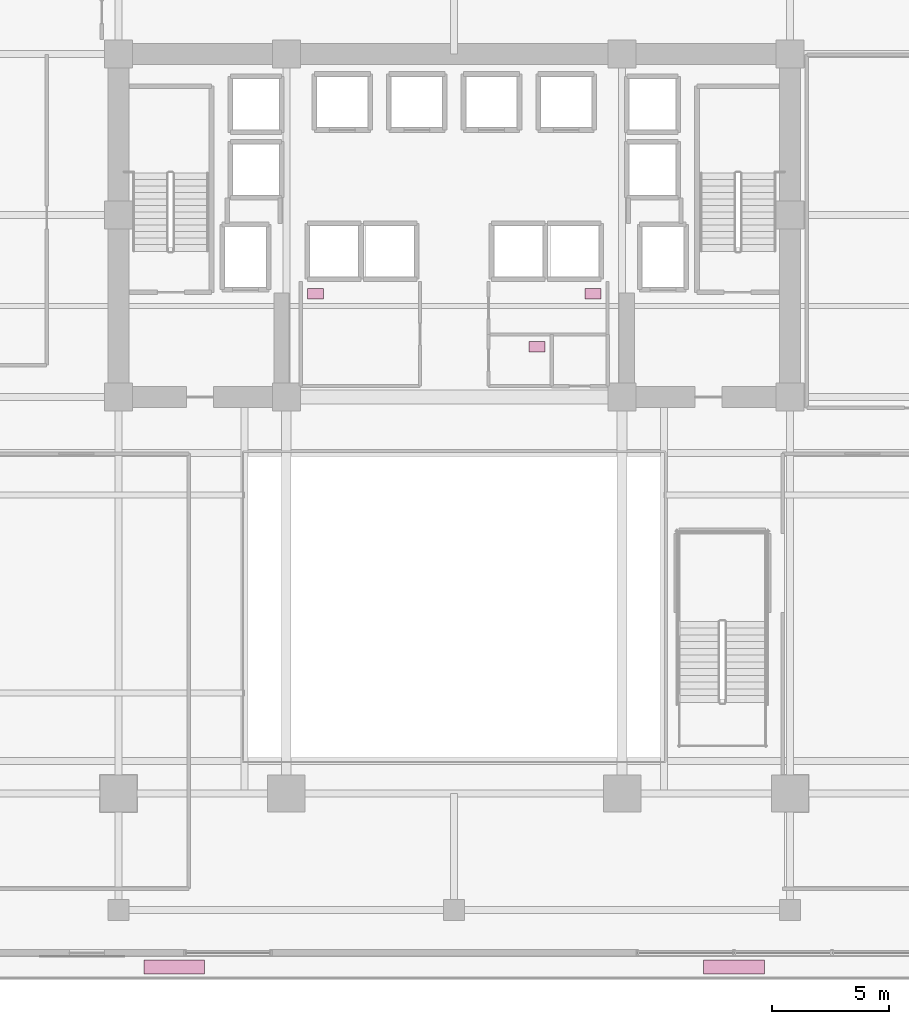
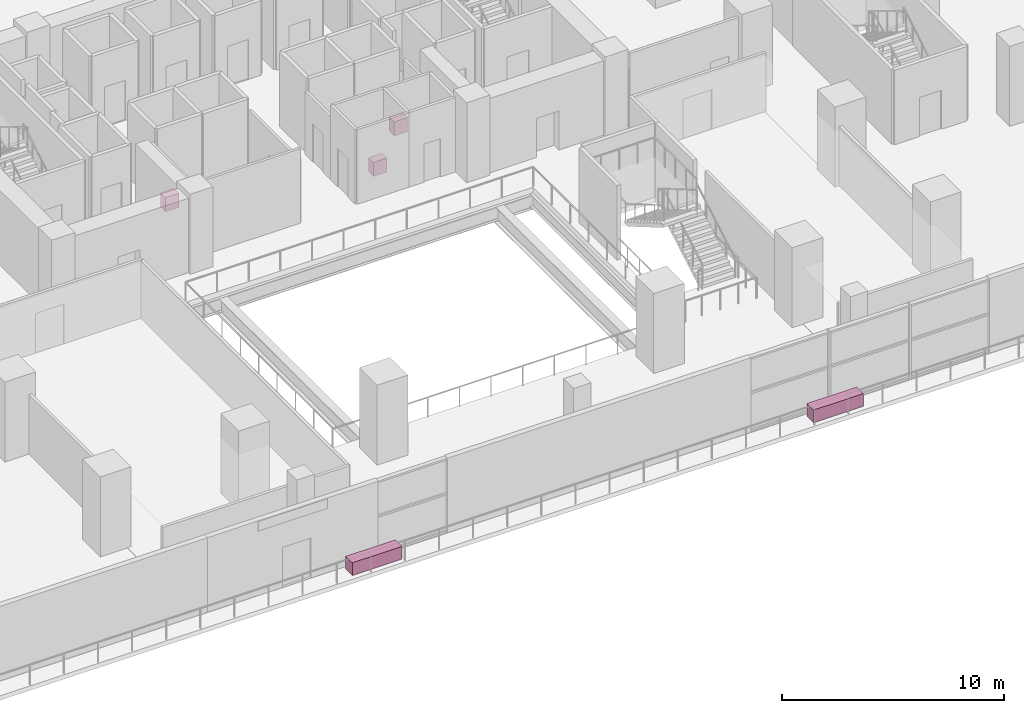
# One storey, part 21 of 21: 5 furnishings.
"""IFC4 building model written with IfcOpenShell, lengths in metres."""

from ifc_helpers import new_model, si_unit, direction, frame, origin, origin_2d, place, context, subcontext, project, spatial, rectangle, extrude, source, transform, mapped, material, type_object, element, save


model = new_model("IFC4")

# Units and contexts
model_context = context("Model", 3, precision=1e-05, world=origin(), true_north=direction((0.0, 1.0)))
body_context = subcontext(model_context, "Body", "Model", "MODEL_VIEW")
ifc_project = project(units=[si_unit("LENGTHUNIT", "METRE"), si_unit("AREAUNIT", "SQUARE_METRE"), si_unit("VOLUMEUNIT", "CUBIC_METRE"), si_unit("PLANEANGLEUNIT", "RADIAN"), si_unit("MASSUNIT", "GRAM", prefix="KILO")], contexts=[model_context])

# Site, building, storey
site_placement = place(None, origin())
site = spatial("IfcSite", under=ifc_project, at=site_placement, CompositionType="ELEMENT")
building_placement = place(site_placement, origin())
building = spatial("IfcBuilding", under=site, at=building_placement, Name="Zarnakvel Exchange Tower", CompositionType="ELEMENT")
storey_placement = place(building_placement, frame((0.0, 0.0, 5.0)))
storey = spatial("IfcBuildingStorey", under=building, at=storey_placement, Name="L01", CompositionType="ELEMENT", Elevation=5.0)

# Furnishings
ifc_material_1 = material(Name="Architectural Bronze Anodised Aluminium", Category="aluminium")
furnishing_element_type_1 = type_object("IfcFurnishingElementType", Name="PLNT-02", material=ifc_material_1)
shared_shape_1 = source(origin(), body_context, "Body", "SweptSolid", [
    extrude(rectangle(XDim=2.60009765625, YDim=0.60009765625, at=origin_2d()), origin(), (0.0, 0.0, 1.0), 0.699951171875),
])
for number, where, z_axis, x_axis, name in (
    (1, (-12.0, -25.64990234375, 0.0), (0.0, 0.0, 1.0), (1.0, 0.0, 0.0), "L01 Podium Terrace Planter #1"),
    (2, (12.0, -25.64990234375, 0.0), (0.0, 0.0, 1.0), (1.0, 0.0, 0.0), "L01 Podium Terrace Planter #2"),
):
    element("IfcFurnishingElement", number, at=place(storey_placement, frame(where, z_axis=z_axis, x_axis=x_axis)), inside=storey, type_object=furnishing_element_type_1, Name=name, ObjectType="PLANTER", context=body_context, shape_type="MappedRepresentation", body=[
        mapped(shared_shape_1, transform((0.0, 0.0, 0.0), x_axis=(1.0, 0.0, 0.0), y_axis=(0.0, 1.0, 0.0), z_axis=(0.0, 0.0, 1.0), scale=1.0)),
    ])
ifc_material_2 = material(Name="Vitreous China Sanitaryware", Category="ceramic")
furnishing_element_type_2 = type_object("IfcFurnishingElementType", Name="SAN-WC", material=ifc_material_2)
shared_shape_2 = source(origin(), body_context, "Body", "SweptSolid", [
    extrude(rectangle(XDim=0.699951171875, YDim=0.449951171875, at=origin_2d()), origin(), (0.0, 0.0, 1.0), 0.780029296875),
])
for number, where, z_axis, x_axis, name in (
    (3, (-5.949951171875, 3.22998046875, 0.0), (0.0, 0.0, 1.0), (1.0, 0.0, 0.0), "L01 Sanitary Fixture (Male Toilet)"),
    (4, (5.949951171875, 3.22998046875, 0.0), (0.0, 0.0, 1.0), (1.0, 0.0, 0.0), "L01 Sanitary Fixture (Female Toilet)"),
    (5, (3.550048828125, 0.949951171875, 0.0), (0.0, 0.0, 1.0), (1.0, 0.0, 0.0), "L01 Sanitary Fixture (Accessible Toilet)"),
):
    element("IfcFurnishingElement", number, at=place(storey_placement, frame(where, z_axis=z_axis, x_axis=x_axis)), inside=storey, type_object=furnishing_element_type_2, Name=name, ObjectType="SANITARY_FIXTURE", context=body_context, shape_type="MappedRepresentation", body=[
        mapped(shared_shape_2, transform((0.0, 0.0, 0.0), x_axis=(1.0, 0.0, 0.0), y_axis=(0.0, 1.0, 0.0), z_axis=(0.0, 0.0, 1.0), scale=1.0)),
    ])

save(model, "model.ifc")
